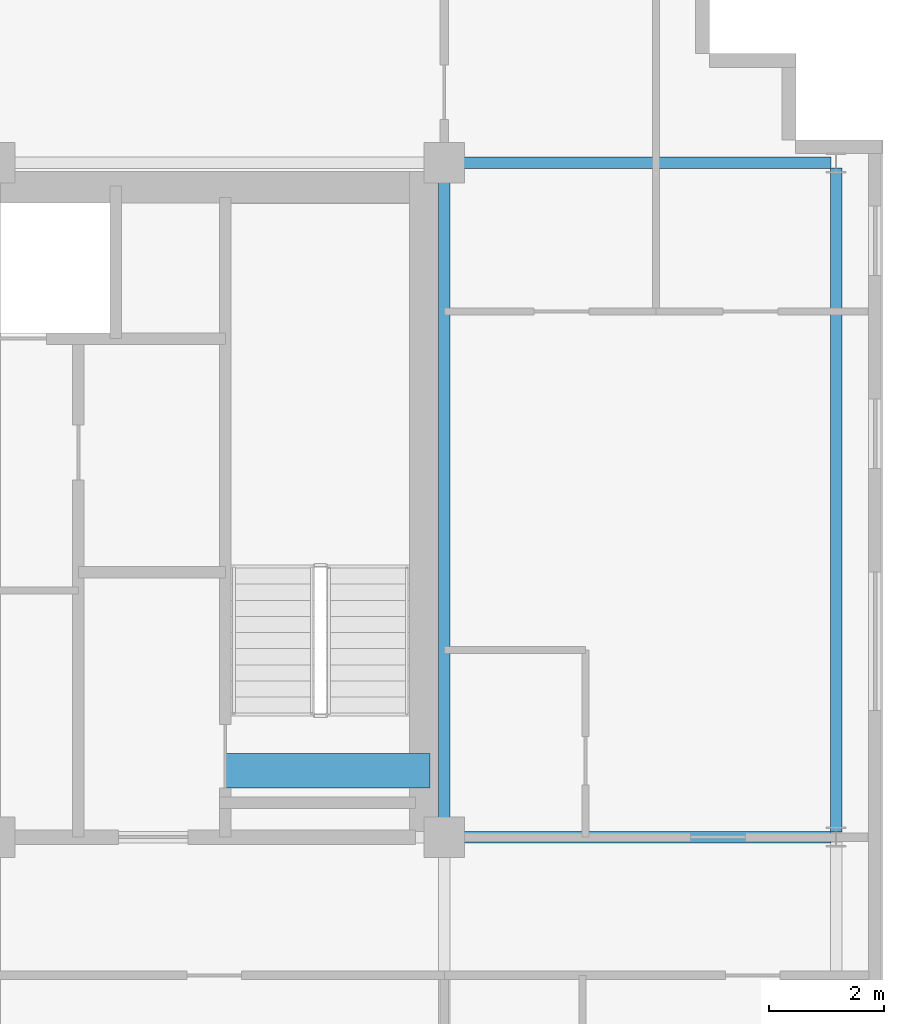
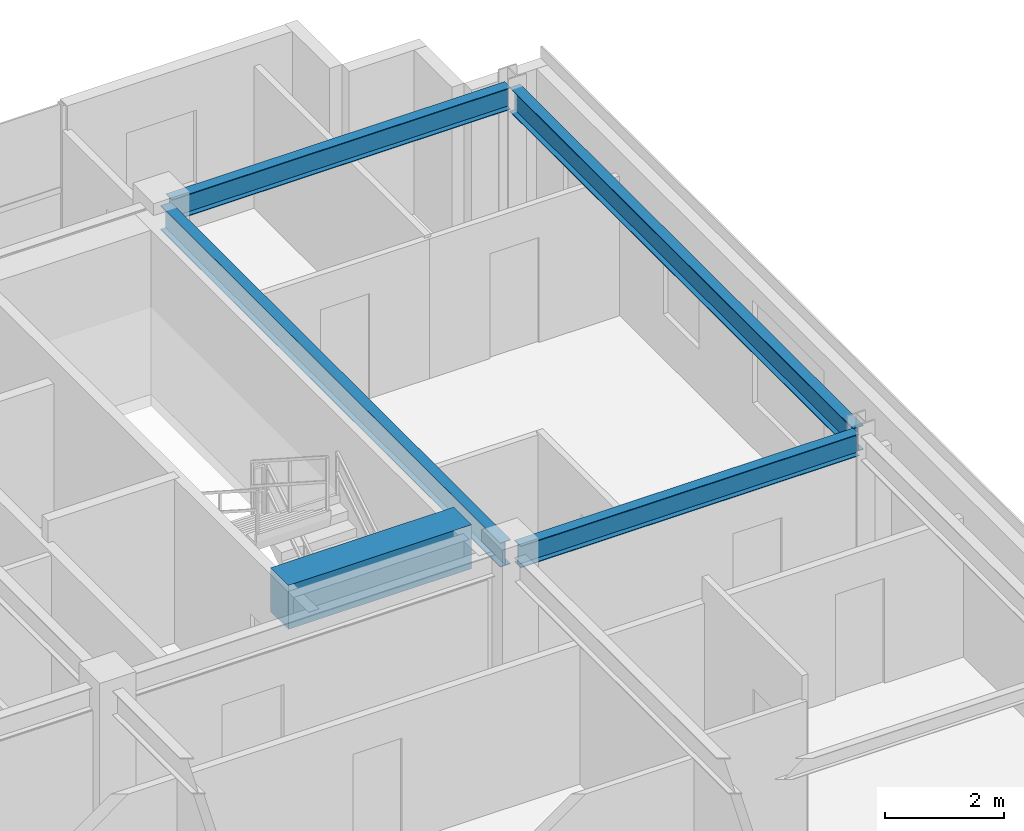
# One storey, part 13 of 23: 5 beams.
"""IFC4 building model written with IfcOpenShell, lengths in metres."""

from ifc_helpers import new_model, si_unit, direction, frame, origin, origin_2d, place, context, subcontext, project, spatial, rectangle, i_section, extrude, source, transform, mapped, material, material_profile, profile_set, type_object, element, save


model = new_model("IFC4")

# Units and contexts
model_context = context("Model", 3, precision=1e-05, world=origin(), true_north=direction((0.0, 1.0)))
body_context = subcontext(model_context, "Body", "Model", "MODEL_VIEW")
ifc_project = project(units=[si_unit("LENGTHUNIT", "METRE"), si_unit("AREAUNIT", "SQUARE_METRE"), si_unit("VOLUMEUNIT", "CUBIC_METRE"), si_unit("PLANEANGLEUNIT", "RADIAN"), si_unit("MASSUNIT", "GRAM", prefix="KILO")], contexts=[model_context])

# Site, building, storey
site_placement = place(None, origin())
site = spatial("IfcSite", under=ifc_project, at=site_placement, CompositionType="ELEMENT")
building_placement = place(site_placement, origin())
building = spatial("IfcBuilding", under=site, at=building_placement, Name="Trelvane Seafront Commons", CompositionType="ELEMENT")
storey_placement = place(building_placement, frame((0.0, 0.0, 226.5)))
storey = spatial("IfcBuildingStorey", under=building, at=storey_placement, Name="L59", CompositionType="ELEMENT", Elevation=226.5)

# Beams
ifc_material_1 = material(Name="Concrete C60/75", Category="concrete")
ifc_material_profile_1 = material_profile(ifc_material_1, rectangle(XDim=0.60009765625, YDim=0.89990234375, at=origin_2d()), Name="RC-600x900")
ifc_profile_set_1 = profile_set([ifc_material_profile_1], Name="Concrete C60/75")
beam_type_1 = type_object("IfcBeamType", Name="STR-LNT-RC600x900", PredefinedType="LINTEL", material=ifc_profile_set_1)
shared_shape_1 = source(origin(), body_context, "Body", "SweptSolid", [
    extrude(rectangle(XDim=0.60009765625, YDim=0.89990234375, at=origin_2d()), origin(), (0.0, 0.0, 1.0), 3.550048828125),
])
beam_1_placement = place(storey_placement, frame((55.0, 34.550048828125, 2.909912109375), z_axis=(1.0, 0.0, 0.0), x_axis=(0.0, 1.0, 0.0)))
element("IfcBeam", 1, at=beam_1_placement, inside=storey, type_object=beam_type_1, Name="L59 Core Coupling Lintel Beam CB-68", PredefinedType="LINTEL", context=body_context, shape_type="MappedRepresentation", body=[
    mapped(shared_shape_1, transform((0.0, 0.0, 0.0), x_axis=(1.0, 0.0, 0.0), y_axis=(0.0, 1.0, 0.0), z_axis=(0.0, 0.0, 1.0), scale=1.0)),
])
ifc_material_2 = material(Name="Steel SM355 (S355)", Category="steel")
ifc_material_profile_2 = material_profile(ifc_material_2, i_section(OverallWidth=0.199951171875, OverallDepth=0.5, WebThickness=0.010009765625, FlangeThickness=0.01611328125, at=origin_2d()), Name="H-500x200x10x16")
ifc_profile_set_2 = profile_set([ifc_material_profile_2], Name="Steel SM355 (S355)")
beam_type_2 = type_object("IfcBeamType", Name="STR-BM-H500", PredefinedType="BEAM", material=ifc_profile_set_2)
shared_shape_2 = source(origin(), body_context, "Body", "SweptSolid", [
    extrude(i_section(OverallWidth=0.199951171875, OverallDepth=0.5, WebThickness=0.010009765625, FlangeThickness=0.01611328125, at=origin_2d()), origin(), (0.0, 0.0, 1.0), 11.39990234375),
])
beam_2_placement = place(storey_placement, frame((58.800048828125, 33.550048828125, 3.110107421875), z_axis=(0.0, 1.0, 0.0), x_axis=(-1.0, 0.0, 0.0)))
element("IfcBeam", 2, at=beam_2_placement, inside=storey, type_object=beam_type_2, Name="L59 Primary Girder G-49", PredefinedType="BEAM", context=body_context, shape_type="MappedRepresentation", body=[
    mapped(shared_shape_2, transform((0.0, 0.0, 0.0), x_axis=(1.0, 0.0, 0.0), y_axis=(0.0, 1.0, 0.0), z_axis=(0.0, 0.0, 1.0), scale=1.0)),
])
ifc_material_profile_3 = material_profile(ifc_material_2, i_section(OverallWidth=0.199951171875, OverallDepth=0.449951171875, WebThickness=0.009033203125, FlangeThickness=0.013916015625, at=origin_2d()), Name="H-450x200x9x14")
ifc_profile_set_3 = profile_set([ifc_material_profile_3], Name="Steel SM355 (S355)")
beam_type_3 = type_object("IfcBeamType", Name="STR-SPD-H450", PredefinedType="SPANDREL", material=ifc_profile_set_3)
shared_shape_3 = source(origin(), body_context, "Body", "SweptSolid", [
    extrude(i_section(OverallWidth=0.199951171875, OverallDepth=0.449951171875, WebThickness=0.009033203125, FlangeThickness=0.013916015625, at=origin_2d()), origin(), (0.0, 0.0, 1.0), 6.5625),
])
for number, where, z_axis, x_axis, name in (
    (3, (58.949951171875, 33.39990234375, 3.135009765625), (1.0, 0.0, 0.0), (0.0, 1.0, 0.0), "L59 Primary Girder G-21"),
    (4, (58.949951171875, 45.10009765625, 3.135009765625), (1.0, 0.0, 0.0), (0.0, 1.0, 0.0), "L59 Primary Girder G-28"),
):
    element("IfcBeam", number, at=place(storey_placement, frame(where, z_axis=z_axis, x_axis=x_axis)), inside=storey, type_object=beam_type_3, Name=name, PredefinedType="SPANDREL", context=body_context, shape_type="MappedRepresentation", body=[
        mapped(shared_shape_3, transform((0.0, 0.0, 0.0), x_axis=(1.0, 0.0, 0.0), y_axis=(0.0, 1.0, 0.0), z_axis=(0.0, 0.0, 1.0), scale=1.0)),
    ])
shared_shape_4 = source(origin(), body_context, "Body", "SweptSolid", [
    extrude(i_section(OverallWidth=0.199951171875, OverallDepth=0.5, WebThickness=0.010009765625, FlangeThickness=0.01611328125, at=origin_2d()), origin(), (0.0, 0.0, 1.0), 11.52490234375),
])
beam_3_placement = place(storey_placement, frame((65.60009765625, 33.487548828125, 3.110107421875), z_axis=(0.0, 1.0, 0.0), x_axis=(-1.0, 0.0, 0.0)))
element("IfcBeam", 5, at=beam_3_placement, inside=storey, type_object=beam_type_2, Name="L59 Primary Girder G-52", PredefinedType="BEAM", context=body_context, shape_type="MappedRepresentation", body=[
    mapped(shared_shape_4, transform((0.0, 0.0, 0.0), x_axis=(1.0, 0.0, 0.0), y_axis=(0.0, 1.0, 0.0), z_axis=(0.0, 0.0, 1.0), scale=1.0)),
])

save(model, "model.ifc")
